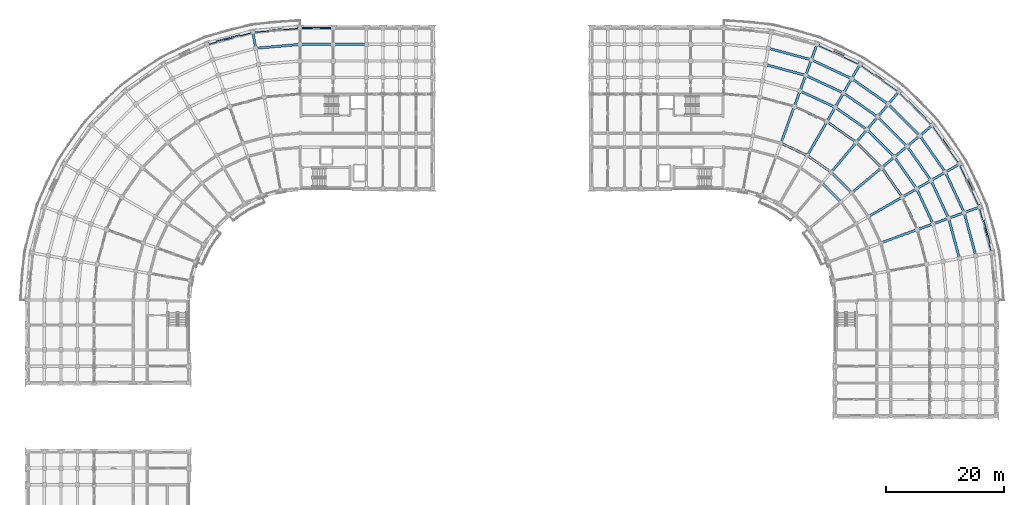
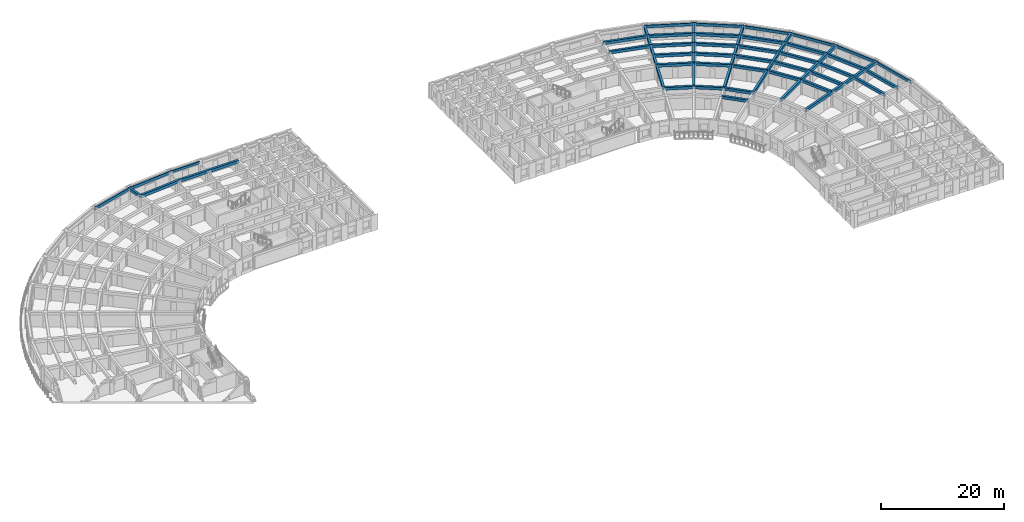
# One storey, part 13 of 57: 71 beams.
"""IFC4 building model written with IfcOpenShell, lengths in metres."""

from ifc_helpers import new_model, si_unit, direction, frame, origin, origin_2d, place, context, subcontext, project, spatial, rectangle, extrude, material, material_profile, profile_set, type_object, element, save


model = new_model("IFC4")

# Units and contexts
model_context = context("Model", 3, precision=1e-05, world=origin(), true_north=direction((0.0, 1.0)))
body_context = subcontext(model_context, "Body", "Model", "MODEL_VIEW")
ifc_project = project(units=[si_unit("LENGTHUNIT", "METRE"), si_unit("AREAUNIT", "SQUARE_METRE"), si_unit("VOLUMEUNIT", "CUBIC_METRE"), si_unit("PLANEANGLEUNIT", "RADIAN"), si_unit("MASSUNIT", "GRAM", prefix="KILO")], contexts=[model_context])

# Site, building, storey
site_placement = place(None, origin())
site = spatial("IfcSite", under=ifc_project, at=site_placement, CompositionType="ELEMENT")
building_placement = place(site_placement, origin())
building = spatial("IfcBuilding", under=site, at=building_placement, Name="Kiranvali Square Residences", CompositionType="ELEMENT")
storey_placement = place(building_placement, frame((0.0, 0.0, 18.14990234375)))
storey = spatial("IfcBuildingStorey", under=building, at=storey_placement, Name="L05", CompositionType="ELEMENT", Elevation=18.14990234375)

# Beams
ifc_material_1 = material(Name="Concrete M45 (45 MPa)", Category="concrete")
ifc_material_profile_1 = material_profile(ifc_material_1, rectangle(XDim=0.39990234375, YDim=0.550048828125, at=origin_2d()), Name="RC 400x550")
ifc_profile_set_1 = profile_set([ifc_material_profile_1], Name="Concrete M45 (45 MPa)")
beam_type_1 = type_object("IfcBeamType", Name="BM-M45-400x550", PredefinedType="BEAM", material=ifc_profile_set_1)
beam_1_placement = place(storey_placement, frame((48.199951171875, 131.0, 2.655029296875), z_axis=(-0.996195195417, -0.087150058103, 0.0), x_axis=(0.087150058103, -0.996195195417, 0.0)))
element("IfcBeam", 1, at=beam_1_placement, inside=storey, type_object=beam_type_1, Name="L05 beam BM-A-L05-C00-R6", PredefinedType="BEAM", context=body_context, shape_type="SweptSolid", body=[
    extrude(rectangle(XDim=0.39990234375, YDim=0.550048828125, at=origin_2d()), origin(), (0.0, 0.0, 1.0), 7.530029296875),
])
beam_2_placement = place(storey_placement, frame((40.698486328125, 130.34375, 2.655029296875), z_axis=(-0.173695795656, 0.984799355489, 0.0), x_axis=(-0.984799355489, -0.173695795656, 0.0)))
element("IfcBeam", 2, at=beam_2_placement, inside=storey, type_object=beam_type_1, Name="L05 beam BM-A-L05-RAD01-67", PredefinedType="BEAM", context=body_context, shape_type="SweptSolid", body=[
    extrude(rectangle(XDim=0.39990234375, YDim=0.550048828125, at=origin_2d()), origin(), (0.0, 0.0, 1.0), 2.7998046875),
])
beam_3_placement = place(storey_placement, frame((48.199951171875, 131.0, 2.655029296875), z_axis=(1.0, 0.0, 0.0), x_axis=(0.0, 1.0, 0.0)))
element("IfcBeam", 3, at=beam_3_placement, inside=storey, type_object=beam_type_1, Name="L05 beam BM-A-L05-A1U0-R6", PredefinedType="BEAM", context=body_context, shape_type="SweptSolid", body=[
    extrude(rectangle(XDim=0.39990234375, YDim=0.550048828125, at=origin_2d()), origin(), (0.0, 0.0, 1.0), 5.60009765625),
])
beam_4_placement = place(storey_placement, frame((53.800048828125, 131.0, 2.655029296875), z_axis=(1.0, 0.0, 0.0), x_axis=(0.0, 1.0, 0.0)))
element("IfcBeam", 4, at=beam_4_placement, inside=storey, type_object=beam_type_1, Name="L05 beam BM-A-L05-A1U1-R6", PredefinedType="BEAM", context=body_context, shape_type="SweptSolid", body=[
    extrude(rectangle(XDim=0.39990234375, YDim=0.550048828125, at=origin_2d()), origin(), (0.0, 0.0, 1.0), 5.599853515625),
])
beam_5_placement = place(storey_placement, frame((126.8154296875, 127.586181640625, 2.655029296875), z_axis=(0.965931029817, -0.258799624492, 0.0), x_axis=(0.258799624492, 0.965931029817, 0.0)))
element("IfcBeam", 5, at=beam_5_placement, inside=storey, type_object=beam_type_1, Name="L05 beam BM-B-L05-C01-R5", PredefinedType="BEAM", context=body_context, shape_type="SweptSolid", body=[
    extrude(rectangle(XDim=0.39990234375, YDim=0.550048828125, at=origin_2d()), origin(), (0.0, 0.0, 1.0), 7.042236328125),
])
beam_6_placement = place(storey_placement, frame((127.301513671875, 130.34375, 2.655029296875), z_axis=(0.965925909693, -0.258818733833, 0.0), x_axis=(0.258818733833, 0.965925909693, 0.0)))
element("IfcBeam", 6, at=beam_6_placement, inside=storey, type_object=beam_type_1, Name="L05 beam BM-B-L05-C01-R6", PredefinedType="BEAM", context=body_context, shape_type="SweptSolid", body=[
    extrude(rectangle(XDim=0.39990234375, YDim=0.550048828125, at=origin_2d()), origin(), (0.0, 0.0, 1.0), 7.5302734375),
])
beam_7_placement = place(storey_placement, frame((129.445068359375, 114.29931640625, 2.655029296875), z_axis=(0.906302381024, -0.422629854778, 0.0), x_axis=(0.422629854778, 0.906302381024, 0.0)))
element("IfcBeam", 7, at=beam_7_placement, inside=storey, type_object=beam_type_1, Name="L05 beam BM-B-L05-C02-R2", PredefinedType="BEAM", context=body_context, shape_type="SweptSolid", body=[
    extrude(rectangle(XDim=0.39990234375, YDim=0.550048828125, at=origin_2d()), origin(), (0.0, 0.0, 1.0), 4.915283203125),
])
beam_8_placement = place(storey_placement, frame((131.702392578125, 120.501220703125, 2.655029296875), z_axis=(0.906312656069, -0.42260781991, 0.0), x_axis=(0.42260781991, 0.906312656069, 0.0)))
element("IfcBeam", 8, at=beam_8_placement, inside=storey, type_object=beam_type_1, Name="L05 beam BM-B-L05-C02-R3", PredefinedType="BEAM", context=body_context, shape_type="SweptSolid", body=[
    extrude(rectangle(XDim=0.39990234375, YDim=0.550048828125, at=origin_2d()), origin(), (0.0, 0.0, 1.0), 6.06591796875),
])
beam_9_placement = place(storey_placement, frame((132.659912109375, 123.13232421875, 2.655029296875), z_axis=(0.906318225223, -0.422595876255, 0.0), x_axis=(0.422595876255, 0.906318225223, 0.0)))
element("IfcBeam", 9, at=beam_9_placement, inside=storey, type_object=beam_type_1, Name="L05 beam BM-B-L05-C02-R4", PredefinedType="BEAM", context=body_context, shape_type="SweptSolid", body=[
    extrude(rectangle(XDim=0.39990234375, YDim=0.550048828125, at=origin_2d()), origin(), (0.0, 0.0, 1.0), 6.55419921875),
])
beam_10_placement = place(storey_placement, frame((133.61767578125, 125.763671875, 2.655029296875), z_axis=(0.906297360311, -0.422640621205, 0.0), x_axis=(0.422640621205, 0.906297360311, 0.0)))
element("IfcBeam", 10, at=beam_10_placement, inside=storey, type_object=beam_type_1, Name="L05 beam BM-B-L05-C02-R5", PredefinedType="BEAM", context=body_context, shape_type="SweptSolid", body=[
    extrude(rectangle(XDim=0.39990234375, YDim=0.550048828125, at=origin_2d()), origin(), (0.0, 0.0, 1.0), 7.042236328125),
])
beam_11_placement = place(storey_placement, frame((134.5751953125, 128.394775390625, 2.655029296875), z_axis=(0.90630982703, -0.422613886933, 0.0), x_axis=(0.422613886933, 0.90630982703, 0.0)))
element("IfcBeam", 11, at=beam_11_placement, inside=storey, type_object=beam_type_1, Name="L05 beam BM-B-L05-C02-R6", PredefinedType="BEAM", context=body_context, shape_type="SweptSolid", body=[
    extrude(rectangle(XDim=0.39990234375, YDim=0.550048828125, at=origin_2d()), origin(), (0.0, 0.0, 1.0), 7.5302734375),
])
beam_12_placement = place(storey_placement, frame((133.89990234375, 112.221923828125, 2.655029296875), z_axis=(0.819140911474, -0.573592335331, 0.0), x_axis=(0.573592335331, 0.819140911474, 0.0)))
element("IfcBeam", 12, at=beam_12_placement, inside=storey, type_object=beam_type_1, Name="L05 beam BM-B-L05-C03-R2", PredefinedType="BEAM", context=body_context, shape_type="SweptSolid", body=[
    extrude(rectangle(XDim=0.39990234375, YDim=0.550048828125, at=origin_2d()), origin(), (0.0, 0.0, 1.0), 4.915771484375),
])
beam_13_placement = place(storey_placement, frame((137.199951171875, 117.937744140625, 2.655029296875), z_axis=(0.81913926159, -0.573594691504, 0.0), x_axis=(0.573594691504, 0.81913926159, 0.0)))
element("IfcBeam", 13, at=beam_13_placement, inside=storey, type_object=beam_type_1, Name="L05 beam BM-B-L05-C03-R3", PredefinedType="BEAM", context=body_context, shape_type="SweptSolid", body=[
    extrude(rectangle(XDim=0.39990234375, YDim=0.550048828125, at=origin_2d()), origin(), (0.0, 0.0, 1.0), 6.066162109375),
])
beam_14_placement = place(storey_placement, frame((138.60009765625, 120.362548828125, 2.655029296875), z_axis=(0.819144409176, -0.573587340268, 0.0), x_axis=(0.573587340268, 0.819144409176, 0.0)))
element("IfcBeam", 14, at=beam_14_placement, inside=storey, type_object=beam_type_1, Name="L05 beam BM-B-L05-C03-R4", PredefinedType="BEAM", context=body_context, shape_type="SweptSolid", body=[
    extrude(rectangle(XDim=0.39990234375, YDim=0.550048828125, at=origin_2d()), origin(), (0.0, 0.0, 1.0), 6.553955078125),
])
beam_15_placement = place(storey_placement, frame((140.0, 122.787353515625, 2.655029296875), z_axis=(0.819160249246, -0.57356471828, 0.0), x_axis=(0.57356471828, 0.819160249246, 0.0)))
element("IfcBeam", 15, at=beam_15_placement, inside=storey, type_object=beam_type_1, Name="L05 beam BM-B-L05-C03-R5", PredefinedType="BEAM", context=body_context, shape_type="SweptSolid", body=[
    extrude(rectangle(XDim=0.39990234375, YDim=0.550048828125, at=origin_2d()), origin(), (0.0, 0.0, 1.0), 7.0419921875),
])
beam_16_placement = place(storey_placement, frame((141.39990234375, 125.21240234375, 2.655029296875), z_axis=(0.819143569597, -0.573588539275, 0.0), x_axis=(0.573588539275, 0.819143569597, 0.0)))
element("IfcBeam", 16, at=beam_16_placement, inside=storey, type_object=beam_type_1, Name="L05 beam BM-B-L05-C03-R6", PredefinedType="BEAM", context=body_context, shape_type="SweptSolid", body=[
    extrude(rectangle(XDim=0.39990234375, YDim=0.550048828125, at=origin_2d()), origin(), (0.0, 0.0, 1.0), 7.5302734375),
])
beam_17_placement = place(storey_placement, frame((136.384033203125, 107.56396484375, 2.655029296875), z_axis=(0.707106781187, -0.707106781187, 0.0), x_axis=(0.707106781187, 0.707106781187, 0.0)))
element("IfcBeam", 17, at=beam_17_placement, inside=storey, type_object=beam_type_1, Name="L05 beam BM-B-L05-C04-R1", PredefinedType="BEAM", context=body_context, shape_type="SweptSolid", body=[
    extrude(rectangle(XDim=0.39990234375, YDim=0.550048828125, at=origin_2d()), origin(), (0.0, 0.0, 1.0), 4.4970703125),
])
beam_18_placement = place(storey_placement, frame((137.926513671875, 109.40234375, 2.655029296875), z_axis=(0.707106781187, -0.707106781187, 0.0), x_axis=(0.707106781187, 0.707106781187, 0.0)))
element("IfcBeam", 18, at=beam_18_placement, inside=storey, type_object=beam_type_1, Name="L05 beam BM-B-L05-C04-R2", PredefinedType="BEAM", context=body_context, shape_type="SweptSolid", body=[
    extrude(rectangle(XDim=0.39990234375, YDim=0.550048828125, at=origin_2d()), origin(), (0.0, 0.0, 1.0), 4.91552734375),
])
beam_19_placement = place(storey_placement, frame((142.1689453125, 114.458251953125, 2.655029296875), z_axis=(0.707106781187, -0.707106781187, 0.0), x_axis=(0.707106781187, 0.707106781187, 0.0)))
element("IfcBeam", 19, at=beam_19_placement, inside=storey, type_object=beam_type_1, Name="L05 beam BM-B-L05-C04-R3", PredefinedType="BEAM", context=body_context, shape_type="SweptSolid", body=[
    extrude(rectangle(XDim=0.39990234375, YDim=0.550048828125, at=origin_2d()), origin(), (0.0, 0.0, 1.0), 6.06591796875),
])
beam_20_placement = place(storey_placement, frame((143.96875, 116.603271484375, 2.655029296875), z_axis=(0.707106781187, -0.707106781187, 0.0), x_axis=(0.707106781187, 0.707106781187, 0.0)))
element("IfcBeam", 20, at=beam_20_placement, inside=storey, type_object=beam_type_1, Name="L05 beam BM-B-L05-C04-R4", PredefinedType="BEAM", context=body_context, shape_type="SweptSolid", body=[
    extrude(rectangle(XDim=0.39990234375, YDim=0.550048828125, at=origin_2d()), origin(), (0.0, 0.0, 1.0), 6.55419921875),
])
beam_21_placement = place(storey_placement, frame((145.7685546875, 118.748291015625, 2.655029296875), z_axis=(0.707106781187, -0.707106781187, 0.0), x_axis=(0.707106781187, 0.707106781187, 0.0)))
element("IfcBeam", 21, at=beam_21_placement, inside=storey, type_object=beam_type_1, Name="L05 beam BM-B-L05-C04-R5", PredefinedType="BEAM", context=body_context, shape_type="SweptSolid", body=[
    extrude(rectangle(XDim=0.39990234375, YDim=0.550048828125, at=origin_2d()), origin(), (0.0, 0.0, 1.0), 7.04248046875),
])
beam_22_placement = place(storey_placement, frame((147.568359375, 120.89306640625, 2.655029296875), z_axis=(0.707106781187, -0.707106781187, 0.0), x_axis=(0.707106781187, 0.707106781187, 0.0)))
element("IfcBeam", 22, at=beam_22_placement, inside=storey, type_object=beam_type_1, Name="L05 beam BM-B-L05-C04-R6", PredefinedType="BEAM", context=body_context, shape_type="SweptSolid", body=[
    extrude(rectangle(XDim=0.39990234375, YDim=0.550048828125, at=origin_2d()), origin(), (0.0, 0.0, 1.0), 7.5302734375),
])
beam_23_placement = place(storey_placement, frame((146.458251953125, 110.1689453125, 2.655029296875), z_axis=(0.573594691504, -0.81913926159, 0.0), x_axis=(0.81913926159, 0.573594691504, 0.0)))
element("IfcBeam", 23, at=beam_23_placement, inside=storey, type_object=beam_type_1, Name="L05 beam BM-B-L05-C05-R3", PredefinedType="BEAM", context=body_context, shape_type="SweptSolid", body=[
    extrude(rectangle(XDim=0.39990234375, YDim=0.550048828125, at=origin_2d()), origin(), (0.0, 0.0, 1.0), 6.066162109375),
])
beam_24_placement = place(storey_placement, frame((148.603271484375, 111.96875, 2.655029296875), z_axis=(0.573587340268, -0.819144409176, 0.0), x_axis=(0.819144409176, 0.573587340268, 0.0)))
element("IfcBeam", 24, at=beam_24_placement, inside=storey, type_object=beam_type_1, Name="L05 beam BM-B-L05-C05-R4", PredefinedType="BEAM", context=body_context, shape_type="SweptSolid", body=[
    extrude(rectangle(XDim=0.39990234375, YDim=0.550048828125, at=origin_2d()), origin(), (0.0, 0.0, 1.0), 6.553955078125),
])
beam_25_placement = place(storey_placement, frame((150.748291015625, 113.7685546875, 2.655029296875), z_axis=(0.57356471828, -0.819160249246, 0.0), x_axis=(0.819160249246, 0.57356471828, 0.0)))
element("IfcBeam", 25, at=beam_25_placement, inside=storey, type_object=beam_type_1, Name="L05 beam BM-B-L05-C05-R5", PredefinedType="BEAM", context=body_context, shape_type="SweptSolid", body=[
    extrude(rectangle(XDim=0.39990234375, YDim=0.550048828125, at=origin_2d()), origin(), (0.0, 0.0, 1.0), 7.0419921875),
])
beam_26_placement = place(storey_placement, frame((152.89306640625, 115.568359375, 2.655029296875), z_axis=(0.573588539275, -0.819143569597, 0.0), x_axis=(0.819143569597, 0.573588539275, 0.0)))
element("IfcBeam", 26, at=beam_26_placement, inside=storey, type_object=beam_type_1, Name="L05 beam BM-B-L05-C05-R6", PredefinedType="BEAM", context=body_context, shape_type="SweptSolid", body=[
    extrude(rectangle(XDim=0.39990234375, YDim=0.550048828125, at=origin_2d()), origin(), (0.0, 0.0, 1.0), 7.5302734375),
])
beam_27_placement = place(storey_placement, frame((149.937744140625, 105.199951171875, 2.655029296875), z_axis=(0.42260781991, -0.906312656069, 0.0), x_axis=(0.906312656069, 0.42260781991, 0.0)))
element("IfcBeam", 27, at=beam_27_placement, inside=storey, type_object=beam_type_1, Name="L05 beam BM-B-L05-C06-R3", PredefinedType="BEAM", context=body_context, shape_type="SweptSolid", body=[
    extrude(rectangle(XDim=0.39990234375, YDim=0.550048828125, at=origin_2d()), origin(), (0.0, 0.0, 1.0), 6.06591796875),
])
beam_28_placement = place(storey_placement, frame((152.362548828125, 106.60009765625, 2.655029296875), z_axis=(0.422595876255, -0.906318225223, 0.0), x_axis=(0.906318225223, 0.422595876255, 0.0)))
element("IfcBeam", 28, at=beam_28_placement, inside=storey, type_object=beam_type_1, Name="L05 beam BM-B-L05-C06-R4", PredefinedType="BEAM", context=body_context, shape_type="SweptSolid", body=[
    extrude(rectangle(XDim=0.39990234375, YDim=0.550048828125, at=origin_2d()), origin(), (0.0, 0.0, 1.0), 6.55419921875),
])
beam_29_placement = place(storey_placement, frame((154.787353515625, 108.0, 2.655029296875), z_axis=(0.422640621205, -0.906297360311, 0.0), x_axis=(0.906297360311, 0.422640621205, 0.0)))
element("IfcBeam", 29, at=beam_29_placement, inside=storey, type_object=beam_type_1, Name="L05 beam BM-B-L05-C06-R5", PredefinedType="BEAM", context=body_context, shape_type="SweptSolid", body=[
    extrude(rectangle(XDim=0.39990234375, YDim=0.550048828125, at=origin_2d()), origin(), (0.0, 0.0, 1.0), 7.042236328125),
])
beam_30_placement = place(storey_placement, frame((157.21240234375, 109.39990234375, 2.655029296875), z_axis=(0.422613886933, -0.90630982703, 0.0), x_axis=(0.90630982703, 0.422613886933, 0.0)))
element("IfcBeam", 30, at=beam_30_placement, inside=storey, type_object=beam_type_1, Name="L05 beam BM-B-L05-C06-R6", PredefinedType="BEAM", context=body_context, shape_type="SweptSolid", body=[
    extrude(rectangle(XDim=0.39990234375, YDim=0.550048828125, at=origin_2d()), origin(), (0.0, 0.0, 1.0), 7.5302734375),
])
beam_31_placement = place(storey_placement, frame((157.763671875, 101.61767578125, 2.655029296875), z_axis=(0.258799624492, -0.965931029817, 0.0), x_axis=(0.965931029817, 0.258799624492, 0.0)))
element("IfcBeam", 31, at=beam_31_placement, inside=storey, type_object=beam_type_1, Name="L05 beam BM-B-L05-C07-R5", PredefinedType="BEAM", context=body_context, shape_type="SweptSolid", body=[
    extrude(rectangle(XDim=0.39990234375, YDim=0.550048828125, at=origin_2d()), origin(), (0.0, 0.0, 1.0), 7.042236328125),
])
beam_32_placement = place(storey_placement, frame((160.394775390625, 102.5751953125, 2.655029296875), z_axis=(0.258818733833, -0.965925909693, 0.0), x_axis=(0.965925909693, 0.258818733833, 0.0)))
element("IfcBeam", 32, at=beam_32_placement, inside=storey, type_object=beam_type_1, Name="L05 beam BM-B-L05-C07-R6", PredefinedType="BEAM", context=body_context, shape_type="SweptSolid", body=[
    extrude(rectangle(XDim=0.39990234375, YDim=0.550048828125, at=origin_2d()), origin(), (0.0, 0.0, 1.0), 7.5302734375),
])
beam_33_placement = place(storey_placement, frame((129.445068359375, 114.29931640625, 2.655029296875), z_axis=(0.342022238372, 0.939691858249, 0.0), x_axis=(-0.939691858249, 0.342022238372, 0.0)))
element("IfcBeam", 33, at=beam_33_placement, inside=storey, type_object=beam_type_1, Name="L05 beam BM-B-L05-RAD02-23", PredefinedType="BEAM", context=body_context, shape_type="SweptSolid", body=[
    extrude(rectangle(XDim=0.39990234375, YDim=0.550048828125, at=origin_2d()), origin(), (0.0, 0.0, 1.0), 6.599853515625),
])
beam_34_placement = place(storey_placement, frame((131.702392578125, 120.501220703125, 2.655029296875), z_axis=(0.341981089711, 0.93970683422, 0.0), x_axis=(-0.93970683422, 0.341981089711, 0.0)))
element("IfcBeam", 34, at=beam_34_placement, inside=storey, type_object=beam_type_1, Name="L05 beam BM-B-L05-RAD02-34", PredefinedType="BEAM", context=body_context, shape_type="SweptSolid", body=[
    extrude(rectangle(XDim=0.39990234375, YDim=0.550048828125, at=origin_2d()), origin(), (0.0, 0.0, 1.0), 2.7998046875),
])
beam_35_placement = place(storey_placement, frame((132.659912109375, 123.13232421875, 2.655029296875), z_axis=(0.342030060398, 0.939689011208, 0.0), x_axis=(-0.939689011208, 0.342030060398, 0.0)))
element("IfcBeam", 35, at=beam_35_placement, inside=storey, type_object=beam_type_1, Name="L05 beam BM-B-L05-RAD02-45", PredefinedType="BEAM", context=body_context, shape_type="SweptSolid", body=[
    extrude(rectangle(XDim=0.39990234375, YDim=0.550048828125, at=origin_2d()), origin(), (0.0, 0.0, 1.0), 2.80029296875),
])
beam_36_placement = place(storey_placement, frame((133.61767578125, 125.763671875, 2.655029296875), z_axis=(0.341981089711, 0.93970683422, 0.0), x_axis=(-0.93970683422, 0.341981089711, 0.0)))
element("IfcBeam", 36, at=beam_36_placement, inside=storey, type_object=beam_type_1, Name="L05 beam BM-B-L05-RAD02-56", PredefinedType="BEAM", context=body_context, shape_type="SweptSolid", body=[
    extrude(rectangle(XDim=0.39990234375, YDim=0.550048828125, at=origin_2d()), origin(), (0.0, 0.0, 1.0), 2.7998046875),
])
beam_37_placement = place(storey_placement, frame((134.5751953125, 128.394775390625, 2.655029296875), z_axis=(0.342058084236, 0.939678810556, 0.0), x_axis=(-0.939678810556, 0.342058084236, 0.0)))
element("IfcBeam", 37, at=beam_37_placement, inside=storey, type_object=beam_type_1, Name="L05 beam BM-B-L05-RAD02-67", PredefinedType="BEAM", context=body_context, shape_type="SweptSolid", body=[
    extrude(rectangle(XDim=0.39990234375, YDim=0.550048828125, at=origin_2d()), origin(), (0.0, 0.0, 1.0), 2.800048828125),
])
beam_38_placement = place(storey_placement, frame((133.89990234375, 112.221923828125, 2.655029296875), z_axis=(0.500002094529, 0.866024194504, 0.0), x_axis=(-0.866024194504, 0.500002094529, 0.0)))
element("IfcBeam", 38, at=beam_38_placement, inside=storey, type_object=beam_type_1, Name="L05 beam BM-B-L05-RAD03-23", PredefinedType="BEAM", context=body_context, shape_type="SweptSolid", body=[
    extrude(rectangle(XDim=0.39990234375, YDim=0.550048828125, at=origin_2d()), origin(), (0.0, 0.0, 1.0), 6.60009765625),
])
beam_39_placement = place(storey_placement, frame((137.199951171875, 117.937744140625, 2.655029296875), z_axis=(0.500049511043, 0.865996816683, 0.0), x_axis=(-0.865996816683, 0.500049511043, 0.0)))
element("IfcBeam", 39, at=beam_39_placement, inside=storey, type_object=beam_type_1, Name="L05 beam BM-B-L05-RAD03-34", PredefinedType="BEAM", context=body_context, shape_type="SweptSolid", body=[
    extrude(rectangle(XDim=0.39990234375, YDim=0.550048828125, at=origin_2d()), origin(), (0.0, 0.0, 1.0), 2.800048828125),
])
beam_40_placement = place(storey_placement, frame((138.60009765625, 120.362548828125, 2.655029296875), z_axis=(0.49998411664, 0.866034573852, 0.0), x_axis=(-0.866034573852, 0.49998411664, 0.0)))
element("IfcBeam", 40, at=beam_40_placement, inside=storey, type_object=beam_type_1, Name="L05 beam BM-B-L05-RAD03-45", PredefinedType="BEAM", context=body_context, shape_type="SweptSolid", body=[
    extrude(rectangle(XDim=0.39990234375, YDim=0.550048828125, at=origin_2d()), origin(), (0.0, 0.0, 1.0), 2.7998046875),
])
for number, where, z_axis, x_axis, name in (
    (41, (140.0, 122.787353515625, 2.655029296875), (0.49994636267, 0.866056369097, 0.0), (-0.866056369097, 0.49994636267, 0.0), "L05 beam BM-B-L05-RAD03-56"),
    (42, (141.39990234375, 125.21240234375, 2.655029296875), (0.500049511043, 0.865996816683, 0.0), (-0.865996816683, 0.500049511043, 0.0), "L05 beam BM-B-L05-RAD03-67"),
):
    element("IfcBeam", number, at=place(storey_placement, frame(where, z_axis=z_axis, x_axis=x_axis)), inside=storey, type_object=beam_type_1, Name=name, PredefinedType="BEAM", context=body_context, shape_type="SweptSolid", body=[
        extrude(rectangle(XDim=0.39990234375, YDim=0.550048828125, at=origin_2d()), origin(), (0.0, 0.0, 1.0), 2.800048828125),
    ])
beam_41_placement = place(storey_placement, frame((137.926513671875, 109.40234375, 2.655029296875), z_axis=(0.642789470807, 0.766042881449, 0.0), x_axis=(-0.766042881449, 0.642789470807, 0.0)))
element("IfcBeam", 43, at=beam_41_placement, inside=storey, type_object=beam_type_1, Name="L05 beam BM-B-L05-RAD04-23", PredefinedType="BEAM", context=body_context, shape_type="SweptSolid", body=[
    extrude(rectangle(XDim=0.39990234375, YDim=0.550048828125, at=origin_2d()), origin(), (0.0, 0.0, 1.0), 6.60009765625),
])
for number, where, z_axis, x_axis, name in (
    (44, (142.1689453125, 114.458251953125, 2.655029296875), (0.642770757628, 0.766058583359, 0.0), (-0.766058583359, 0.642770757628, 0.0), "L05 beam BM-B-L05-RAD04-34"),
    (45, (143.96875, 116.603271484375, 2.655029296875), (0.642770757628, 0.766058583359, 0.0), (-0.766058583359, 0.642770757628, 0.0), "L05 beam BM-B-L05-RAD04-45"),
):
    element("IfcBeam", number, at=place(storey_placement, frame(where, z_axis=z_axis, x_axis=x_axis)), inside=storey, type_object=beam_type_1, Name=name, PredefinedType="BEAM", context=body_context, shape_type="SweptSolid", body=[
        extrude(rectangle(XDim=0.39990234375, YDim=0.550048828125, at=origin_2d()), origin(), (0.0, 0.0, 1.0), 2.800048828125),
    ])
beam_42_placement = place(storey_placement, frame((145.7685546875, 118.748291015625, 2.655029296875), z_axis=(0.642813692253, 0.76602255649, 0.0), x_axis=(-0.76602255649, 0.642813692253, 0.0)))
element("IfcBeam", 46, at=beam_42_placement, inside=storey, type_object=beam_type_1, Name="L05 beam BM-B-L05-RAD04-56", PredefinedType="BEAM", context=body_context, shape_type="SweptSolid", body=[
    extrude(rectangle(XDim=0.39990234375, YDim=0.550048828125, at=origin_2d()), origin(), (0.0, 0.0, 1.0), 2.7998046875),
])
beam_43_placement = place(storey_placement, frame((147.568359375, 120.89306640625, 2.655029296875), z_axis=(0.642770757628, 0.766058583359, 0.0), x_axis=(-0.766058583359, 0.642770757628, 0.0)))
element("IfcBeam", 47, at=beam_43_placement, inside=storey, type_object=beam_type_1, Name="L05 beam BM-B-L05-RAD04-67", PredefinedType="BEAM", context=body_context, shape_type="SweptSolid", body=[
    extrude(rectangle(XDim=0.39990234375, YDim=0.550048828125, at=origin_2d()), origin(), (0.0, 0.0, 1.0), 2.800048828125),
])
beam_44_placement = place(storey_placement, frame((141.40234375, 105.926513671875, 2.655029296875), z_axis=(0.766042881449, 0.642789470807, 0.0), x_axis=(-0.642789470807, 0.766042881449, 0.0)))
element("IfcBeam", 48, at=beam_44_placement, inside=storey, type_object=beam_type_1, Name="L05 beam BM-B-L05-RAD05-23", PredefinedType="BEAM", context=body_context, shape_type="SweptSolid", body=[
    extrude(rectangle(XDim=0.39990234375, YDim=0.550048828125, at=origin_2d()), origin(), (0.0, 0.0, 1.0), 6.60009765625),
])
for number, where, z_axis, x_axis, name in (
    (49, (146.458251953125, 110.1689453125, 2.655029296875), (0.766058583359, 0.642770757628, 0.0), (-0.642770757628, 0.766058583359, 0.0), "L05 beam BM-B-L05-RAD05-34"),
    (50, (148.603271484375, 111.96875, 2.655029296875), (0.766058583359, 0.642770757628, 0.0), (-0.642770757628, 0.766058583359, 0.0), "L05 beam BM-B-L05-RAD05-45"),
):
    element("IfcBeam", number, at=place(storey_placement, frame(where, z_axis=z_axis, x_axis=x_axis)), inside=storey, type_object=beam_type_1, Name=name, PredefinedType="BEAM", context=body_context, shape_type="SweptSolid", body=[
        extrude(rectangle(XDim=0.39990234375, YDim=0.550048828125, at=origin_2d()), origin(), (0.0, 0.0, 1.0), 2.800048828125),
    ])
beam_45_placement = place(storey_placement, frame((150.748291015625, 113.7685546875, 2.655029296875), z_axis=(0.76602255649, 0.642813692253, 0.0), x_axis=(-0.642813692253, 0.76602255649, 0.0)))
element("IfcBeam", 51, at=beam_45_placement, inside=storey, type_object=beam_type_1, Name="L05 beam BM-B-L05-RAD05-56", PredefinedType="BEAM", context=body_context, shape_type="SweptSolid", body=[
    extrude(rectangle(XDim=0.39990234375, YDim=0.550048828125, at=origin_2d()), origin(), (0.0, 0.0, 1.0), 2.7998046875),
])
beam_46_placement = place(storey_placement, frame((152.89306640625, 115.568359375, 2.655029296875), z_axis=(0.766058583359, 0.642770757628, 0.0), x_axis=(-0.642770757628, 0.766058583359, 0.0)))
element("IfcBeam", 52, at=beam_46_placement, inside=storey, type_object=beam_type_1, Name="L05 beam BM-B-L05-RAD05-67", PredefinedType="BEAM", context=body_context, shape_type="SweptSolid", body=[
    extrude(rectangle(XDim=0.39990234375, YDim=0.550048828125, at=origin_2d()), origin(), (0.0, 0.0, 1.0), 2.800048828125),
])
beam_47_placement = place(storey_placement, frame((144.221923828125, 101.89990234375, 2.655029296875), z_axis=(0.866024194504, 0.500002094529, 0.0), x_axis=(-0.500002094529, 0.866024194504, 0.0)))
element("IfcBeam", 53, at=beam_47_placement, inside=storey, type_object=beam_type_1, Name="L05 beam BM-B-L05-RAD06-23", PredefinedType="BEAM", context=body_context, shape_type="SweptSolid", body=[
    extrude(rectangle(XDim=0.39990234375, YDim=0.550048828125, at=origin_2d()), origin(), (0.0, 0.0, 1.0), 6.60009765625),
])
beam_48_placement = place(storey_placement, frame((149.937744140625, 105.199951171875, 2.655029296875), z_axis=(0.865996816683, 0.500049511043, 0.0), x_axis=(-0.500049511043, 0.865996816683, 0.0)))
element("IfcBeam", 54, at=beam_48_placement, inside=storey, type_object=beam_type_1, Name="L05 beam BM-B-L05-RAD06-34", PredefinedType="BEAM", context=body_context, shape_type="SweptSolid", body=[
    extrude(rectangle(XDim=0.39990234375, YDim=0.550048828125, at=origin_2d()), origin(), (0.0, 0.0, 1.0), 2.800048828125),
])
beam_49_placement = place(storey_placement, frame((152.362548828125, 106.60009765625, 2.655029296875), z_axis=(0.866034573852, 0.49998411664, 0.0), x_axis=(-0.49998411664, 0.866034573852, 0.0)))
element("IfcBeam", 55, at=beam_49_placement, inside=storey, type_object=beam_type_1, Name="L05 beam BM-B-L05-RAD06-45", PredefinedType="BEAM", context=body_context, shape_type="SweptSolid", body=[
    extrude(rectangle(XDim=0.39990234375, YDim=0.550048828125, at=origin_2d()), origin(), (0.0, 0.0, 1.0), 2.7998046875),
])
for number, where, z_axis, x_axis, name in (
    (56, (154.787353515625, 108.0, 2.655029296875), (0.866056369097, 0.49994636267, 0.0), (-0.49994636267, 0.866056369097, 0.0), "L05 beam BM-B-L05-RAD06-56"),
    (57, (157.21240234375, 109.39990234375, 2.655029296875), (0.865996816683, 0.500049511043, 0.0), (-0.500049511043, 0.865996816683, 0.0), "L05 beam BM-B-L05-RAD06-67"),
):
    element("IfcBeam", number, at=place(storey_placement, frame(where, z_axis=z_axis, x_axis=x_axis)), inside=storey, type_object=beam_type_1, Name=name, PredefinedType="BEAM", context=body_context, shape_type="SweptSolid", body=[
        extrude(rectangle(XDim=0.39990234375, YDim=0.550048828125, at=origin_2d()), origin(), (0.0, 0.0, 1.0), 2.800048828125),
    ])
beam_50_placement = place(storey_placement, frame((146.29931640625, 97.445068359375, 2.655029296875), z_axis=(0.939691858249, 0.342022238372, 0.0), x_axis=(-0.342022238372, 0.939691858249, 0.0)))
element("IfcBeam", 58, at=beam_50_placement, inside=storey, type_object=beam_type_1, Name="L05 beam BM-B-L05-RAD07-23", PredefinedType="BEAM", context=body_context, shape_type="SweptSolid", body=[
    extrude(rectangle(XDim=0.39990234375, YDim=0.550048828125, at=origin_2d()), origin(), (0.0, 0.0, 1.0), 6.599853515625),
])
beam_51_placement = place(storey_placement, frame((152.501220703125, 99.702392578125, 2.655029296875), z_axis=(0.93970683422, 0.341981089711, 0.0), x_axis=(-0.341981089711, 0.93970683422, 0.0)))
element("IfcBeam", 59, at=beam_51_placement, inside=storey, type_object=beam_type_1, Name="L05 beam BM-B-L05-RAD07-34", PredefinedType="BEAM", context=body_context, shape_type="SweptSolid", body=[
    extrude(rectangle(XDim=0.39990234375, YDim=0.550048828125, at=origin_2d()), origin(), (0.0, 0.0, 1.0), 2.7998046875),
])
beam_52_placement = place(storey_placement, frame((155.13232421875, 100.659912109375, 2.655029296875), z_axis=(0.939689011208, 0.342030060398, 0.0), x_axis=(-0.342030060398, 0.939689011208, 0.0)))
element("IfcBeam", 60, at=beam_52_placement, inside=storey, type_object=beam_type_1, Name="L05 beam BM-B-L05-RAD07-45", PredefinedType="BEAM", context=body_context, shape_type="SweptSolid", body=[
    extrude(rectangle(XDim=0.39990234375, YDim=0.550048828125, at=origin_2d()), origin(), (0.0, 0.0, 1.0), 2.80029296875),
])
beam_53_placement = place(storey_placement, frame((157.763671875, 101.61767578125, 2.655029296875), z_axis=(0.93970683422, 0.341981089711, 0.0), x_axis=(-0.341981089711, 0.93970683422, 0.0)))
element("IfcBeam", 61, at=beam_53_placement, inside=storey, type_object=beam_type_1, Name="L05 beam BM-B-L05-RAD07-56", PredefinedType="BEAM", context=body_context, shape_type="SweptSolid", body=[
    extrude(rectangle(XDim=0.39990234375, YDim=0.550048828125, at=origin_2d()), origin(), (0.0, 0.0, 1.0), 2.7998046875),
])
beam_54_placement = place(storey_placement, frame((160.394775390625, 102.5751953125, 2.655029296875), z_axis=(0.939678810556, 0.342058084236, 0.0), x_axis=(-0.342058084236, 0.939678810556, 0.0)))
element("IfcBeam", 62, at=beam_54_placement, inside=storey, type_object=beam_type_1, Name="L05 beam BM-B-L05-RAD07-67", PredefinedType="BEAM", context=body_context, shape_type="SweptSolid", body=[
    extrude(rectangle(XDim=0.39990234375, YDim=0.550048828125, at=origin_2d()), origin(), (0.0, 0.0, 1.0), 2.800048828125),
])
ifc_material_2 = material(Name="Concrete M40 (40 MPa)", Category="concrete")
ifc_material_profile_2 = material_profile(ifc_material_2, rectangle(XDim=0.25, YDim=0.449951171875, at=origin_2d()), Name="RC 250x450")
ifc_profile_set_2 = profile_set([ifc_material_profile_2], Name="Concrete M40 (40 MPa)")
beam_type_2 = type_object("IfcBeamType", Name="SPN-M40-250x450", PredefinedType="SPANDREL", material=ifc_profile_set_2)
beam_55_placement = place(storey_placement, frame((48.199951171875, 133.800048828125, 2.705078125), z_axis=(1.0, 0.0, 0.0), x_axis=(0.0, 1.0, 0.0)))
element("IfcBeam", 63, at=beam_55_placement, inside=storey, type_object=beam_type_2, Name="L05 beam BM-A-L05-A1U0-R7", PredefinedType="SPANDREL", context=body_context, shape_type="SweptSolid", body=[
    extrude(rectangle(XDim=0.25, YDim=0.449951171875, at=origin_2d()), origin(), (0.0, 0.0, 1.0), 5.60009765625),
])
ifc_material_profile_3 = material_profile(ifc_material_2, rectangle(XDim=0.25, YDim=0.550048828125, at=origin_2d()), Name="RC 250x550")
ifc_profile_set_3 = profile_set([ifc_material_profile_3], Name="Concrete M40 (40 MPa)")
beam_type_3 = type_object("IfcBeamType", Name="SPN-M40-250x550", PredefinedType="SPANDREL", material=ifc_profile_set_3)
for number, where, z_axis, x_axis, name in (
    (64, (48.199951171875, 133.800048828125, 2.655029296875), (-0.996193254792, -0.087172238171, 0.0), (0.087172238171, -0.996193254792, 0.0), "L05 beam BM-A-L05-C00-R7"),
    (65, (40.212158203125, 133.10107421875, 2.655029296875), (-0.96592902462, -0.258807108475, 0.0), (0.258807108475, -0.96592902462, 0.0), "L05 beam BM-A-L05-C01-R7"),
    (66, (135.532958984375, 131.02587890625, 2.655029296875), (0.906309113636, -0.422615416827, 0.0), (0.422615416827, 0.906309113636, 0.0), "L05 beam BM-B-L05-C02-R7"),
    (67, (142.800048828125, 127.63720703125, 2.655029296875), (0.819147515001, -0.573582904791, 0.0), (0.573582904791, 0.819147515001, 0.0), "L05 beam BM-B-L05-C03-R7"),
):
    element("IfcBeam", number, at=place(storey_placement, frame(where, z_axis=z_axis, x_axis=x_axis)), inside=storey, type_object=beam_type_3, Name=name, PredefinedType="SPANDREL", context=body_context, shape_type="SweptSolid", body=[
        extrude(rectangle(XDim=0.25, YDim=0.550048828125, at=origin_2d()), origin(), (0.0, 0.0, 1.0), 8.018310546875),
    ])
beam_56_placement = place(storey_placement, frame((149.3681640625, 123.0380859375, 2.655029296875), z_axis=(0.707106781187, -0.707106781187, 0.0), x_axis=(0.707106781187, 0.707106781187, 0.0)))
element("IfcBeam", 68, at=beam_56_placement, inside=storey, type_object=beam_type_3, Name="L05 beam BM-B-L05-C04-R7", PredefinedType="SPANDREL", context=body_context, shape_type="SweptSolid", body=[
    extrude(rectangle(XDim=0.25, YDim=0.550048828125, at=origin_2d()), origin(), (0.0, 0.0, 1.0), 8.0185546875),
])
for number, where, z_axis, x_axis, name in (
    (69, (155.0380859375, 117.3681640625, 2.655029296875), (0.573582904791, -0.819147515001, 0.0), (0.819147515001, 0.573582904791, 0.0), "L05 beam BM-B-L05-C05-R7"),
    (70, (159.63720703125, 110.800048828125, 2.655029296875), (0.422615416827, -0.906309113636, 0.0), (0.906309113636, 0.422615416827, 0.0), "L05 beam BM-B-L05-C06-R7"),
    (71, (163.02587890625, 103.532958984375, 2.655029296875), (0.258807108475, -0.96592902462, 0.0), (0.96592902462, 0.258807108475, 0.0), "L05 beam BM-B-L05-C07-R7"),
):
    element("IfcBeam", number, at=place(storey_placement, frame(where, z_axis=z_axis, x_axis=x_axis)), inside=storey, type_object=beam_type_3, Name=name, PredefinedType="SPANDREL", context=body_context, shape_type="SweptSolid", body=[
        extrude(rectangle(XDim=0.25, YDim=0.550048828125, at=origin_2d()), origin(), (0.0, 0.0, 1.0), 8.018310546875),
    ])

save(model, "model.ifc")
